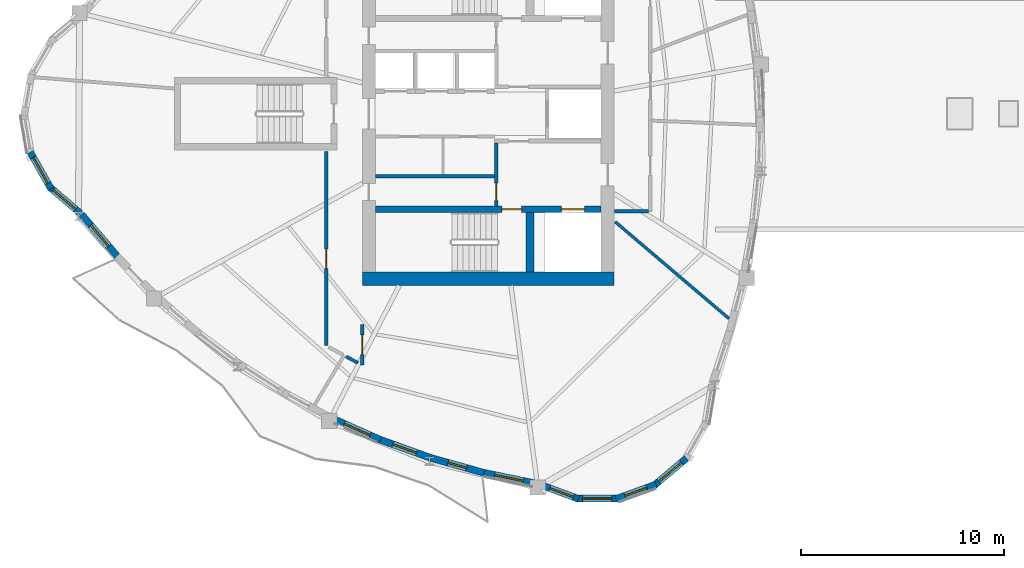
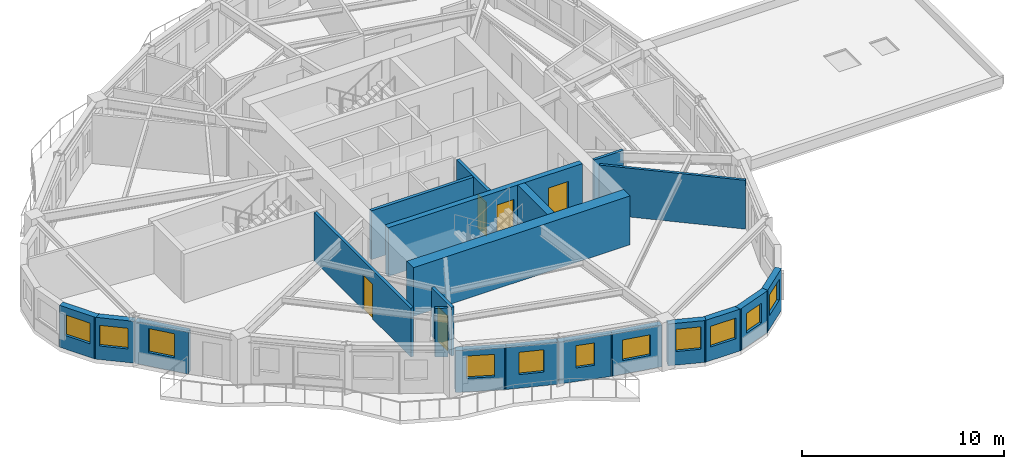
# One storey, part 3 of 11: 21 walls, 11 windows, 5 doors, 16 openings.
"""IFC4 building model written with IfcOpenShell, lengths in metres."""

from ifc_helpers import new_model, si_unit, direction, frame, frame_2d, origin, place, context, subcontext, project, spatial, rectangle, extrude, source, transform, mapped, material, layer, layer_set, type_object, element, fill, save


model = new_model("IFC4")

# Units and contexts
model_context = context("Model", 3, precision=1e-05, world=origin(), true_north=direction((0.0, 1.0)))
body_context = subcontext(model_context, "Body", "Model", "MODEL_VIEW")
ifc_project = project(units=[si_unit("LENGTHUNIT", "METRE"), si_unit("AREAUNIT", "SQUARE_METRE"), si_unit("VOLUMEUNIT", "CUBIC_METRE"), si_unit("PLANEANGLEUNIT", "RADIAN"), si_unit("MASSUNIT", "GRAM", prefix="KILO")], contexts=[model_context])

# Site, building, storey
site_placement = place(None, origin())
site = spatial("IfcSite", under=ifc_project, at=site_placement, CompositionType="ELEMENT")
building_placement = place(site_placement, origin())
building = spatial("IfcBuilding", under=site, at=building_placement, Name="Qafzar Sky-Pleat Residences", CompositionType="ELEMENT")
storey_placement = place(building_placement, frame((0.0, 0.0, 161.800048828125)))
storey = spatial("IfcBuildingStorey", under=building, at=storey_placement, Name="L48", CompositionType="ELEMENT", Elevation=161.800048828125)

# Wall, opening, door
ifc_material_1 = material(Name="Acoustic gypsum plasterboard partition", Category="gypsum")
ifc_layer_1 = layer(ifc_material_1, 0.159912109375)
ifc_layer_set_1 = layer_set([ifc_layer_1], Name="Acoustic gypsum plasterboard partition")
wall_type_1 = type_object("IfcWallType", Name="PART-COR-160", PredefinedType="PARTITIONING", material=ifc_layer_set_1)
wall_1_placement = place(storey_placement, frame((22.3701171875, 14.5791015625, 0.0), z_axis=(0.0, 0.0, 1.0), x_axis=(0.0, 1.0, 0.0)))
wall_1 = element("IfcWall", 1, at=wall_1_placement, inside=storey, type_object=wall_type_1, Name="L48 Partition Wall PART-L48-PW-001", PredefinedType="PARTITIONING", context=body_context, shape_type="SweptSolid", body=[
    extrude(rectangle(XDim=9.57080078125, YDim=0.159912109375, at=frame_2d((4.785400390625, 0.0))), origin(), (0.0, 0.0, 1.0), 2.949951171875),
])
opening_1_placement = place(wall_1_placement, frame((3.79345703125, 0.0, 0.0)))
opening_1 = element("IfcOpeningElement", 2, at=opening_1_placement, cuts=wall_1, Name="Opening ID-06", PredefinedType="OPENING", context=body_context, shape_type="SweptSolid", body=[
    extrude(rectangle(XDim=0.9599609375, YDim=2.10009765625, at=frame_2d((0.47998046875, 1.050048828125))), frame((0.0, 0.08984375, 0.0), z_axis=(0.0, -1.0, 0.0), x_axis=(1.0, 0.0, 0.0)), (0.0, 0.0, 1.0), 0.179931640625),
])
ifc_material_2 = material(Name="Timber-faced fire door", Category="wood")
door_type_1 = type_object("IfcDoorType", Name="DR-STD-960", OperationType="NOTDEFINED", PredefinedType="DOOR", material=ifc_material_2)
shared_shape_1 = source(origin(), body_context, "Body", "SweptSolid", [
    extrude(rectangle(XDim=0.9599609375, YDim=2.10009765625, at=frame_2d((0.47998046875, 1.050048828125))), frame((0.0, 0.02490234375, 0.0), z_axis=(0.0, -1.0, 0.0), x_axis=(1.0, 0.0, 0.0)), (0.0, 0.0, 1.0), 0.050048828125),
])
door_1_placement = place(opening_1_placement, origin())
door_1 = element("IfcDoor", 3, at=door_1_placement, inside=storey, type_object=door_type_1, Name="L48 Faculty Research Office Door", OperationType="SINGLE_SWING_LEFT", OverallHeight=2.10009765625, OverallWidth=0.9599609375, PredefinedType="DOOR", context=body_context, shape_type="MappedRepresentation", body=[
    mapped(shared_shape_1, transform((0.0, 0.0, 0.0), x_axis=(1.0, 0.0, 0.0), y_axis=(0.0, 1.0, 0.0), z_axis=(0.0, 0.0, 1.0), scale=1.0)),
])
fill(opening_1, door_1)

wall_2_placement = place(storey_placement, frame((24.14990234375, 15.633056640625, 0.0), z_axis=(0.0, 0.0, 1.0), x_axis=(0.0, -1.0, 0.0)))
wall_2 = element("IfcWall", 4, at=wall_2_placement, inside=storey, type_object=wall_type_1, Name="L48 Partition Wall PART-L48-PW-008", PredefinedType="PARTITIONING", context=body_context, shape_type="SweptSolid", body=[
    extrude(rectangle(XDim=1.9951171875, YDim=0.159912109375, at=frame_2d((0.99755859375, 0.0))), origin(), (0.0, 0.0, 1.0), 2.949951171875),
])
opening_2_placement = place(wall_2_placement, frame((0.531982421875, 0.0, 0.0)))
opening_2 = element("IfcOpeningElement", 5, at=opening_2_placement, cuts=wall_2, Name="Opening ID-06", PredefinedType="OPENING", context=body_context, shape_type="SweptSolid", body=[
    extrude(rectangle(XDim=0.9599609375, YDim=2.10009765625, at=frame_2d((0.47998046875, 1.050048828125))), frame((0.0, 0.08984375, 0.0), z_axis=(0.0, -1.0, 0.0), x_axis=(1.0, 0.0, 0.0)), (0.0, 0.0, 1.0), 0.179931640625),
])
door_2_placement = place(opening_2_placement, origin())
door_2 = element("IfcDoor", 6, at=door_2_placement, inside=storey, type_object=door_type_1, Name="L48 Scholar Co-Working Workspace Door", OperationType="SINGLE_SWING_LEFT", OverallHeight=2.10009765625, OverallWidth=0.9599609375, PredefinedType="DOOR", context=body_context, shape_type="MappedRepresentation", body=[
    mapped(shared_shape_1, transform((0.0, 0.0, 0.0), x_axis=(1.0, 0.0, 0.0), y_axis=(0.0, 1.0, 0.0), z_axis=(0.0, 0.0, 1.0), scale=1.0)),
])
fill(opening_2, door_2)

# Walls
wall_3_placement = place(storey_placement, frame((36.55810546875, 21.199951171875, 0.0), z_axis=(0.0, 0.0, 1.0), x_axis=(1.0, 0.0, 0.0)))
element("IfcWall", 7, at=wall_3_placement, inside=storey, type_object=wall_type_1, Name="L48 Partition Wall PART-L48-PW-021", PredefinedType="PARTITIONING", context=body_context, shape_type="SweptSolid", body=[
    extrude(rectangle(XDim=1.683837890625, YDim=0.159912109375, at=frame_2d((0.841796875, 0.0))), origin(), (0.0, 0.0, 1.0), 2.949951171875),
])
wall_4_placement = place(storey_placement, frame((23.35400390625, 14.0478515625, 0.0), z_axis=(0.0, 0.0, 1.0), x_axis=(0.879446930613, -0.475996949818, 0.0)))
element("IfcWall", 8, at=wall_4_placement, inside=storey, type_object=wall_type_1, Name="L48 Partition Wall PART-L48-PW-028", PredefinedType="PARTITIONING", context=body_context, shape_type="SweptSolid", body=[
    extrude(rectangle(XDim=0.65966796875, YDim=0.159912109375, at=frame_2d((0.329833984375, 0.0))), origin(), (0.0, 0.0, 1.0), 2.949951171875),
])

# Wall, opening, door
ifc_material_3 = material(Name="Concrete blockwork partition", Category="masonry")
ifc_layer_2 = layer(ifc_material_3, 0.179931640625)
ifc_layer_set_2 = layer_set([ifc_layer_2], Name="Concrete blockwork partition")
wall_type_2 = type_object("IfcWallType", Name="PART-SHAFT-180", PredefinedType="PARTITIONING", material=ifc_layer_set_2)
wall_5_placement = place(storey_placement, frame((30.75, 21.4599609375, 0.0), z_axis=(0.0, 0.0, 1.0), x_axis=(0.0, 1.0, 0.0)))
wall_5 = element("IfcWall", 9, at=wall_5_placement, inside=storey, type_object=wall_type_2, Name="L48 Partition Wall PART-L48-FFL1-W", PredefinedType="PARTITIONING", context=body_context, shape_type="SweptSolid", body=[
    extrude(rectangle(XDim=3.110107421875, YDim=0.179931640625, at=frame_2d((1.55517578125, 0.0))), origin(), (0.0, 0.0, 1.0), 2.949951171875),
])
opening_3_placement = place(wall_5_placement, frame((0.260009765625, 0.0, 0.0)))
opening_3 = element("IfcOpeningElement", 10, at=opening_3_placement, cuts=wall_5, Name="Opening ID-09", PredefinedType="OPENING", context=body_context, shape_type="SweptSolid", body=[
    extrude(rectangle(XDim=0.860107421875, YDim=2.050048828125, at=frame_2d((0.43017578125, 1.02490234375))), frame((0.0, 0.10009765625, 0.0), z_axis=(0.0, -1.0, 0.0), x_axis=(1.0, 0.0, 0.0)), (0.0, 0.0, 1.0), 0.199951171875),
])
door_type_2 = type_object("IfcDoorType", Name="DR-SVC-860", OperationType="NOTDEFINED", PredefinedType="DOOR", material=ifc_material_2)
shared_shape_2 = source(origin(), body_context, "Body", "SweptSolid", [
    extrude(rectangle(XDim=0.860107421875, YDim=2.050048828125, at=frame_2d((0.43017578125, 1.02490234375))), frame((0.0, 0.02490234375, 0.0), z_axis=(0.0, -1.0, 0.0), x_axis=(1.0, 0.0, 0.0)), (0.0, 0.0, 1.0), 0.050048828125),
])
door_3_placement = place(opening_3_placement, origin())
door_3 = element("IfcDoor", 11, at=door_3_placement, inside=storey, type_object=door_type_2, Name="L48 South Core Cupboard Door", OperationType="SINGLE_SWING_LEFT", OverallHeight=2.050048828125, OverallWidth=0.860107421875, PredefinedType="DOOR", context=body_context, shape_type="MappedRepresentation", body=[
    mapped(shared_shape_2, transform((0.0, 0.0, 0.0), x_axis=(1.0, 0.0, 0.0), y_axis=(0.0, 1.0, 0.0), z_axis=(0.0, 0.0, 1.0), scale=1.0)),
])
fill(opening_3, door_3)

# Walls
wall_6_placement = place(storey_placement, frame((24.81005859375, 22.919921875, 0.0), z_axis=(0.0, 0.0, 1.0), x_axis=(1.0, 0.0, 0.0)))
element("IfcWall", 12, at=wall_6_placement, inside=storey, type_object=wall_type_2, Name="L48 Partition Wall PART-L48-P13-S", PredefinedType="PARTITIONING", context=body_context, shape_type="SweptSolid", body=[
    extrude(rectangle(XDim=5.83984375, YDim=0.179931640625, at=frame_2d((2.919921875, 0.0))), origin(), (0.0, 0.0, 1.0), 2.949951171875),
])
ifc_layer_3 = layer(ifc_material_1, 0.14501953125)
ifc_layer_set_3 = layer_set([ifc_layer_3], Name="Acoustic gypsum plasterboard partition")
wall_type_3 = type_object("IfcWallType", Name="PART-UNIT-145", PredefinedType="PARTITIONING", material=ifc_layer_set_3)
wall_7_placement = place(storey_placement, frame((36.60302734375, 20.681884765625, 0.0), z_axis=(0.0, 0.0, 1.0), x_axis=(0.761710074833, -0.647918020971, 0.0)))
element("IfcWall", 13, at=wall_7_placement, inside=storey, type_object=wall_type_3, Name="L48 Partition Wall PART-L48-PW-012", PredefinedType="PARTITIONING", context=body_context, shape_type="SweptSolid", body=[
    extrude(rectangle(XDim=7.359130859375, YDim=0.14501953125, at=frame_2d((3.6796875, 0.0))), origin(), (0.0, 0.0, 1.0), 2.949951171875),
])

# Wall, opening, window
ifc_material_4 = material(Name="Precast concrete C40/50 with honed Riyadh limestone", Category="concrete")
ifc_layer_4 = layer(ifc_material_4, 0.340087890625)
ifc_layer_set_4 = layer_set([ifc_layer_4], Name="Precast concrete C40/50 with honed Riyadh limestone")
wall_type_4 = type_object("IfcWallType", Name="WALL-EXT-340", PredefinedType="SOLIDWALL", material=ifc_layer_set_4)
wall_8_placement = place(storey_placement, frame((7.794677734375, 24.11279296875, 0.0), z_axis=(0.0, 0.0, 1.0), x_axis=(0.493660675866, -0.869654607936, 0.0)))
wall_8 = element("IfcWall", 14, at=wall_8_placement, inside=storey, type_object=wall_type_4, Name="L48 Limestone Facade Wall 5", PredefinedType="SOLIDWALL", context=body_context, shape_type="SweptSolid", body=[
    extrude(rectangle(XDim=2.0810546875, YDim=0.340087890625, at=frame_2d((1.04052734375, 0.0))), origin(), (0.0, 0.0, 1.0), 2.530029296875),
])
opening_4_placement = place(wall_8_placement, frame((0.3154296875, 0.0, 0.820068359375)))
opening_4 = element("IfcOpeningElement", 15, at=opening_4_placement, cuts=wall_8, Name="Opening WN-15", PredefinedType="OPENING", context=body_context, shape_type="SweptSolid", body=[
    extrude(rectangle(XDim=1.449951171875, YDim=1.25, at=frame_2d((0.72509765625, 0.625))), frame((0.0, 0.18017578125, 0.0), z_axis=(0.0, -1.0, 0.0), x_axis=(1.0, 0.0, 0.0)), (0.0, 0.0, 1.0), 0.360107421875),
])
ifc_material_5 = material(Name="Solar-control low-E glass in bronze aluminium frame", Category="glass")
window_type_1 = type_object("IfcWindowType", Name="WIN-15", PartitioningType="SINGLE_PANEL", PredefinedType="WINDOW", material=ifc_material_5)
shared_shape_3 = source(origin(), body_context, "Body", "SweptSolid", [
    extrude(rectangle(XDim=1.449951171875, YDim=1.25, at=frame_2d((0.72509765625, 0.625))), frame((0.0, 0.030029296875, 0.0), z_axis=(0.0, -1.0, 0.0), x_axis=(1.0, 0.0, 0.0)), (0.0, 0.0, 1.0), 0.06005859375),
])
window_1_placement = place(opening_4_placement, origin())
window_1 = element("IfcWindow", 16, at=window_1_placement, inside=storey, type_object=window_type_1, Name="L48 Punched Facade Window 05", OverallHeight=1.25, OverallWidth=1.449951171875, PartitioningType="SINGLE_PANEL", PredefinedType="WINDOW", context=body_context, shape_type="MappedRepresentation", body=[
    mapped(shared_shape_3, transform((0.0, 0.0, 0.0), x_axis=(1.0, 0.0, 0.0), y_axis=(0.0, 1.0, 0.0), z_axis=(0.0, 0.0, 1.0), scale=1.0)),
])
fill(opening_4, window_1)

wall_9_placement = place(storey_placement, frame((8.737060546875, 22.406005859375, 0.0), z_axis=(0.0, 0.0, 1.0), x_axis=(0.760269373804, -0.649607942728, 0.0)))
wall_9 = element("IfcWall", 17, at=wall_9_placement, inside=storey, type_object=wall_type_4, Name="L48 Limestone Facade Wall 6", PredefinedType="SOLIDWALL", context=body_context, shape_type="SweptSolid", body=[
    extrude(rectangle(XDim=2.023193359375, YDim=0.340087890625, at=frame_2d((1.01171875, 0.0))), origin(), (0.0, 0.0, 1.0), 2.530029296875),
])
opening_5_placement = place(wall_9_placement, frame((0.256591796875, 0.0, 0.820068359375)))
opening_5 = element("IfcOpeningElement", 18, at=opening_5_placement, cuts=wall_9, Name="Opening WN-15", PredefinedType="OPENING", context=body_context, shape_type="SweptSolid", body=[
    extrude(rectangle(XDim=1.449951171875, YDim=1.25, at=frame_2d((0.72509765625, 0.625))), frame((0.0, 0.18017578125, 0.0), z_axis=(0.0, -1.0, 0.0), x_axis=(1.0, 0.0, 0.0)), (0.0, 0.0, 1.0), 0.360107421875),
])
window_2_placement = place(opening_5_placement, origin())
window_2 = element("IfcWindow", 19, at=window_2_placement, inside=storey, type_object=window_type_1, Name="L48 Punched Facade Window 06", OverallHeight=1.25, OverallWidth=1.449951171875, PartitioningType="SINGLE_PANEL", PredefinedType="WINDOW", context=body_context, shape_type="MappedRepresentation", body=[
    mapped(shared_shape_3, transform((0.0, 0.0, 0.0), x_axis=(1.0, 0.0, 0.0), y_axis=(0.0, 1.0, 0.0), z_axis=(0.0, 0.0, 1.0), scale=1.0)),
])
fill(opening_5, window_2)

wall_10_placement = place(storey_placement, frame((10.322265625, 21.045166015625, 0.0), z_axis=(0.0, 0.0, 1.0), x_axis=(0.650265710861, -0.759706854832, 0.0)))
wall_10 = element("IfcWall", 20, at=wall_10_placement, inside=storey, type_object=wall_type_4, Name="L48 Limestone Facade Wall 7", PredefinedType="SOLIDWALL", context=body_context, shape_type="SweptSolid", body=[
    extrude(rectangle(XDim=2.79296875, YDim=0.340087890625, at=frame_2d((1.396484375, 0.0))), origin(), (0.0, 0.0, 1.0), 2.530029296875),
])
opening_6_placement = place(wall_10_placement, frame((0.71142578125, 0.0, 0.820068359375)))
opening_6 = element("IfcOpeningElement", 21, at=opening_6_placement, cuts=wall_10, Name="Opening WN-04", PredefinedType="OPENING", context=body_context, shape_type="SweptSolid", body=[
    extrude(rectangle(XDim=1.35009765625, YDim=1.449951171875, at=frame_2d((0.675048828125, 0.72509765625))), frame((0.0, 0.18017578125, 0.0), z_axis=(0.0, -1.0, 0.0), x_axis=(1.0, 0.0, 0.0)), (0.0, 0.0, 1.0), 0.360107421875),
])
window_type_2 = type_object("IfcWindowType", Name="WIN-04", PartitioningType="SINGLE_PANEL", PredefinedType="WINDOW", material=ifc_material_5)
shared_shape_4 = source(origin(), body_context, "Body", "SweptSolid", [
    extrude(rectangle(XDim=1.35009765625, YDim=1.449951171875, at=frame_2d((0.675048828125, 0.72509765625))), frame((0.0, 0.030029296875, 0.0), z_axis=(0.0, -1.0, 0.0), x_axis=(1.0, 0.0, 0.0)), (0.0, 0.0, 1.0), 0.06005859375),
])
window_3_placement = place(opening_6_placement, origin())
window_3 = element("IfcWindow", 22, at=window_3_placement, inside=storey, type_object=window_type_2, Name="L48 Punched Facade Window 07", OverallHeight=1.449951171875, OverallWidth=1.35009765625, PartitioningType="SINGLE_PANEL", PredefinedType="WINDOW", context=body_context, shape_type="MappedRepresentation", body=[
    mapped(shared_shape_4, transform((0.0, 0.0, 0.0), x_axis=(1.0, 0.0, 0.0), y_axis=(0.0, 1.0, 0.0), z_axis=(0.0, 0.0, 1.0), scale=1.0)),
])
fill(opening_6, window_3)

wall_11_placement = place(storey_placement, frame((22.739501953125, 10.97119140625, 0.0), z_axis=(0.0, 0.0, 1.0), x_axis=(0.913208557636, -0.407492491048, 0.0)))
wall_11 = element("IfcWall", 23, at=wall_11_placement, inside=storey, type_object=wall_type_4, Name="L48 Limestone Facade Wall 13", PredefinedType="SOLIDWALL", context=body_context, shape_type="SweptSolid", body=[
    extrude(rectangle(XDim=2.525390625, YDim=0.340087890625, at=frame_2d((1.2626953125, 0.0))), origin(), (0.0, 0.0, 1.0), 2.530029296875),
])
opening_7_placement = place(wall_11_placement, frame((0.5576171875, 0.0, 0.820068359375)))
opening_7 = element("IfcOpeningElement", 24, at=opening_7_placement, cuts=wall_11, Name="Opening WN-10", PredefinedType="OPENING", context=body_context, shape_type="SweptSolid", body=[
    extrude(rectangle(XDim=1.39990234375, YDim=1.35009765625, at=frame_2d((0.699951171875, 0.675048828125))), frame((0.0, 0.18017578125, 0.0), z_axis=(0.0, -1.0, 0.0), x_axis=(1.0, 0.0, 0.0)), (0.0, 0.0, 1.0), 0.360107421875),
])
window_type_3 = type_object("IfcWindowType", Name="WIN-10", PartitioningType="SINGLE_PANEL", PredefinedType="WINDOW", material=ifc_material_5)
shared_shape_5 = source(origin(), body_context, "Body", "SweptSolid", [
    extrude(rectangle(XDim=1.39990234375, YDim=1.35009765625, at=frame_2d((0.699951171875, 0.675048828125))), frame((0.0, 0.030029296875, 0.0), z_axis=(0.0, -1.0, 0.0), x_axis=(1.0, 0.0, 0.0)), (0.0, 0.0, 1.0), 0.06005859375),
])
window_4_placement = place(opening_7_placement, origin())
window_4 = element("IfcWindow", 25, at=window_4_placement, inside=storey, type_object=window_type_3, Name="L48 Punched Facade Window 13", OverallHeight=1.35009765625, OverallWidth=1.39990234375, PartitioningType="SINGLE_PANEL", PredefinedType="WINDOW", context=body_context, shape_type="MappedRepresentation", body=[
    mapped(shared_shape_5, transform((0.0, 0.0, 0.0), x_axis=(1.0, 0.0, 0.0), y_axis=(0.0, 1.0, 0.0), z_axis=(0.0, 0.0, 1.0), scale=1.0)),
])
fill(opening_7, window_4)

wall_12_placement = place(storey_placement, frame((24.96337890625, 9.97509765625, 0.0), z_axis=(0.0, 0.0, 1.0), x_axis=(0.940893194947, -0.338703403736, 0.0)))
wall_12 = element("IfcWall", 26, at=wall_12_placement, inside=storey, type_object=wall_type_4, Name="L48 Limestone Facade Wall 14", PredefinedType="SOLIDWALL", context=body_context, shape_type="SweptSolid", body=[
    extrude(rectangle(XDim=2.690673828125, YDim=0.340087890625, at=frame_2d((1.34521484375, 0.0))), origin(), (0.0, 0.0, 1.0), 2.530029296875),
])
opening_8_placement = place(wall_12_placement, frame((0.730224609375, 0.0, 0.820068359375)))
opening_8 = element("IfcOpeningElement", 27, at=opening_8_placement, cuts=wall_12, Name="Opening WN-11", PredefinedType="OPENING", context=body_context, shape_type="SweptSolid", body=[
    extrude(rectangle(XDim=1.25, YDim=1.35009765625, at=frame_2d((0.625, 0.675048828125))), frame((0.0, 0.18017578125, 0.0), z_axis=(0.0, -1.0, 0.0), x_axis=(1.0, 0.0, 0.0)), (0.0, 0.0, 1.0), 0.360107421875),
])
window_type_4 = type_object("IfcWindowType", Name="WIN-11", PartitioningType="SINGLE_PANEL", PredefinedType="WINDOW", material=ifc_material_5)
shared_shape_6 = source(origin(), body_context, "Body", "SweptSolid", [
    extrude(rectangle(XDim=1.25, YDim=1.35009765625, at=frame_2d((0.625, 0.675048828125))), frame((0.0, 0.030029296875, 0.0), z_axis=(0.0, -1.0, 0.0), x_axis=(1.0, 0.0, 0.0)), (0.0, 0.0, 1.0), 0.06005859375),
])
window_5_placement = place(opening_8_placement, origin())
window_5 = element("IfcWindow", 28, at=window_5_placement, inside=storey, type_object=window_type_4, Name="L48 Punched Facade Window 14", OverallHeight=1.35009765625, OverallWidth=1.25, PartitioningType="SINGLE_PANEL", PredefinedType="WINDOW", context=body_context, shape_type="MappedRepresentation", body=[
    mapped(shared_shape_6, transform((0.0, 0.0, 0.0), x_axis=(1.0, 0.0, 0.0), y_axis=(0.0, 1.0, 0.0), z_axis=(0.0, 0.0, 1.0), scale=1.0)),
])
fill(opening_8, window_5)

wall_13_placement = place(storey_placement, frame((27.521484375, 9.055419921875, 0.0), z_axis=(0.0, 0.0, 1.0), x_axis=(0.962873105013, -0.269954410306, 0.0)))
wall_13 = element("IfcWall", 29, at=wall_13_placement, inside=storey, type_object=wall_type_4, Name="L48 Limestone Facade Wall 15", PredefinedType="SOLIDWALL", context=body_context, shape_type="SweptSolid", body=[
    extrude(rectangle(XDim=2.73486328125, YDim=0.340087890625, at=frame_2d((1.367431640625, 0.0))), origin(), (0.0, 0.0, 1.0), 2.530029296875),
])
opening_9_placement = place(wall_13_placement, frame((0.88232421875, 0.0, 0.820068359375)))
opening_9 = element("IfcOpeningElement", 30, at=opening_9_placement, cuts=wall_13, Name="Opening WN-12", PredefinedType="OPENING", context=body_context, shape_type="SweptSolid", body=[
    extrude(rectangle(XDim=0.949951171875, YDim=1.35009765625, at=frame_2d((0.47509765625, 0.675048828125))), frame((0.0, 0.18017578125, 0.0), z_axis=(0.0, -1.0, 0.0), x_axis=(1.0, 0.0, 0.0)), (0.0, 0.0, 1.0), 0.360107421875),
])
window_type_5 = type_object("IfcWindowType", Name="WIN-12", PartitioningType="SINGLE_PANEL", PredefinedType="WINDOW", material=ifc_material_5)
shared_shape_7 = source(origin(), body_context, "Body", "SweptSolid", [
    extrude(rectangle(XDim=0.949951171875, YDim=1.35009765625, at=frame_2d((0.47509765625, 0.675048828125))), frame((0.0, 0.030029296875, 0.0), z_axis=(0.0, -1.0, 0.0), x_axis=(1.0, 0.0, 0.0)), (0.0, 0.0, 1.0), 0.06005859375),
])
window_6_placement = place(opening_9_placement, origin())
window_6 = element("IfcWindow", 31, at=window_6_placement, inside=storey, type_object=window_type_5, Name="L48 Punched Facade Window 15", OverallHeight=1.35009765625, OverallWidth=0.949951171875, PartitioningType="SINGLE_PANEL", PredefinedType="WINDOW", context=body_context, shape_type="MappedRepresentation", body=[
    mapped(shared_shape_7, transform((0.0, 0.0, 0.0), x_axis=(1.0, 0.0, 0.0), y_axis=(0.0, 1.0, 0.0), z_axis=(0.0, 0.0, 1.0), scale=1.0)),
])
fill(opening_9, window_6)

wall_14_placement = place(storey_placement, frame((30.069580078125, 8.337890625, 0.0), z_axis=(0.0, 0.0, 1.0), x_axis=(0.97931003802, -0.202365633032, 0.0)))
wall_14 = element("IfcWall", 32, at=wall_14_placement, inside=storey, type_object=wall_type_4, Name="L48 Limestone Facade Wall 16", PredefinedType="SOLIDWALL", context=body_context, shape_type="SweptSolid", body=[
    extrude(rectangle(XDim=2.65771484375, YDim=0.340087890625, at=frame_2d((1.328857421875, 0.0))), origin(), (0.0, 0.0, 1.0), 2.530029296875),
])
opening_10_placement = place(wall_14_placement, frame((0.60888671875, 0.0, 0.820068359375)))
opening_10 = element("IfcOpeningElement", 33, at=opening_10_placement, cuts=wall_14, Name="Opening WN-15", PredefinedType="OPENING", context=body_context, shape_type="SweptSolid", body=[
    extrude(rectangle(XDim=1.449951171875, YDim=1.25, at=frame_2d((0.72509765625, 0.625))), frame((0.0, 0.18017578125, 0.0), z_axis=(0.0, -1.0, 0.0), x_axis=(1.0, 0.0, 0.0)), (0.0, 0.0, 1.0), 0.360107421875),
])
window_7_placement = place(opening_10_placement, origin())
window_7 = element("IfcWindow", 34, at=window_7_placement, inside=storey, type_object=window_type_1, Name="L48 Punched Facade Window 16", OverallHeight=1.25, OverallWidth=1.449951171875, PartitioningType="SINGLE_PANEL", PredefinedType="WINDOW", context=body_context, shape_type="MappedRepresentation", body=[
    mapped(shared_shape_3, transform((0.0, 0.0, 0.0), x_axis=(1.0, 0.0, 0.0), y_axis=(0.0, 1.0, 0.0), z_axis=(0.0, 0.0, 1.0), scale=1.0)),
])
fill(opening_10, window_7)

wall_15_placement = place(storey_placement, frame((32.994384765625, 7.70751953125, 0.0), z_axis=(0.0, 0.0, 1.0), x_axis=(0.936872687757, -0.349670654952, 0.0)))
wall_15 = element("IfcWall", 35, at=wall_15_placement, inside=storey, type_object=wall_type_4, Name="L48 Limestone Facade Wall 17", PredefinedType="SOLIDWALL", context=body_context, shape_type="SweptSolid", body=[
    extrude(rectangle(XDim=1.915771484375, YDim=0.340087890625, at=frame_2d((0.9580078125, 0.0))), origin(), (0.0, 0.0, 1.0), 2.530029296875),
])
opening_11_placement = place(wall_15_placement, frame((0.40771484375, 0.0, 0.820068359375)))
opening_11 = element("IfcOpeningElement", 36, at=opening_11_placement, cuts=wall_15, Name="Opening WN-11", PredefinedType="OPENING", context=body_context, shape_type="SweptSolid", body=[
    extrude(rectangle(XDim=1.25, YDim=1.35009765625, at=frame_2d((0.625, 0.675048828125))), frame((0.0, 0.18017578125, 0.0), z_axis=(0.0, -1.0, 0.0), x_axis=(1.0, 0.0, 0.0)), (0.0, 0.0, 1.0), 0.360107421875),
])
window_8_placement = place(opening_11_placement, origin())
window_8 = element("IfcWindow", 37, at=window_8_placement, inside=storey, type_object=window_type_4, Name="L48 Punched Facade Window 17", OverallHeight=1.35009765625, OverallWidth=1.25, PartitioningType="SINGLE_PANEL", PredefinedType="WINDOW", context=body_context, shape_type="MappedRepresentation", body=[
    mapped(shared_shape_6, transform((0.0, 0.0, 0.0), x_axis=(1.0, 0.0, 0.0), y_axis=(0.0, 1.0, 0.0), z_axis=(0.0, 0.0, 1.0), scale=1.0)),
])
fill(opening_11, window_8)

wall_16_placement = place(storey_placement, frame((34.656982421875, 7.06201171875, 0.0), z_axis=(0.0, 0.0, 1.0), x_axis=(0.999987609968, -0.00497794249, 0.0)))
wall_16 = element("IfcWall", 38, at=wall_16_placement, inside=storey, type_object=wall_type_4, Name="L48 Limestone Facade Wall 18", PredefinedType="SOLIDWALL", context=body_context, shape_type="SweptSolid", body=[
    extrude(rectangle(XDim=2.10888671875, YDim=0.340087890625, at=frame_2d((1.054443359375, 0.0))), origin(), (0.0, 0.0, 1.0), 2.530029296875),
])
opening_12_placement = place(wall_16_placement, frame((0.329345703125, 0.0, 0.820068359375)))
opening_12 = element("IfcOpeningElement", 39, at=opening_12_placement, cuts=wall_16, Name="Opening WN-15", PredefinedType="OPENING", context=body_context, shape_type="SweptSolid", body=[
    extrude(rectangle(XDim=1.449951171875, YDim=1.25, at=frame_2d((0.72509765625, 0.625))), frame((0.0, 0.18017578125, 0.0), z_axis=(0.0, -1.0, 0.0), x_axis=(1.0, 0.0, 0.0)), (0.0, 0.0, 1.0), 0.360107421875),
])
window_9_placement = place(opening_12_placement, origin())
window_9 = element("IfcWindow", 40, at=window_9_placement, inside=storey, type_object=window_type_1, Name="L48 Punched Facade Window 18", OverallHeight=1.25, OverallWidth=1.449951171875, PartitioningType="SINGLE_PANEL", PredefinedType="WINDOW", context=body_context, shape_type="MappedRepresentation", body=[
    mapped(shared_shape_3, transform((0.0, 0.0, 0.0), x_axis=(1.0, 0.0, 0.0), y_axis=(0.0, 1.0, 0.0), z_axis=(0.0, 0.0, 1.0), scale=1.0)),
])
fill(opening_12, window_9)

wall_17_placement = place(storey_placement, frame((36.63330078125, 7.02880859375, 0.0), z_axis=(0.0, 0.0, 1.0), x_axis=(0.940255626786, 0.340469317702, 0.0)))
wall_17 = element("IfcWall", 41, at=wall_17_placement, inside=storey, type_object=wall_type_4, Name="L48 Limestone Facade Wall 19", PredefinedType="SOLIDWALL", context=body_context, shape_type="SweptSolid", body=[
    extrude(rectangle(XDim=2.10888671875, YDim=0.340087890625, at=frame_2d((1.054443359375, 0.0))), origin(), (0.0, 0.0, 1.0), 2.530029296875),
])
opening_13_placement = place(wall_17_placement, frame((0.4794921875, 0.0, 0.820068359375)))
opening_13 = element("IfcOpeningElement", 42, at=opening_13_placement, cuts=wall_17, Name="Opening WN-16", PredefinedType="OPENING", context=body_context, shape_type="SweptSolid", body=[
    extrude(rectangle(XDim=1.14990234375, YDim=1.199951171875, at=frame_2d((0.574951171875, 0.60009765625))), frame((0.0, 0.18017578125, 0.0), z_axis=(0.0, -1.0, 0.0), x_axis=(1.0, 0.0, 0.0)), (0.0, 0.0, 1.0), 0.360107421875),
])
window_type_6 = type_object("IfcWindowType", Name="WIN-16", PartitioningType="SINGLE_PANEL", PredefinedType="WINDOW", material=ifc_material_5)
shared_shape_8 = source(origin(), body_context, "Body", "SweptSolid", [
    extrude(rectangle(XDim=1.14990234375, YDim=1.199951171875, at=frame_2d((0.574951171875, 0.60009765625))), frame((0.0, 0.030029296875, 0.0), z_axis=(0.0, -1.0, 0.0), x_axis=(1.0, 0.0, 0.0)), (0.0, 0.0, 1.0), 0.06005859375),
])
window_10_placement = place(opening_13_placement, origin())
window_10 = element("IfcWindow", 43, at=window_10_placement, inside=storey, type_object=window_type_6, Name="L48 Punched Facade Window 19", OverallHeight=1.199951171875, OverallWidth=1.14990234375, PartitioningType="SINGLE_PANEL", PredefinedType="WINDOW", context=body_context, shape_type="MappedRepresentation", body=[
    mapped(shared_shape_8, transform((0.0, 0.0, 0.0), x_axis=(1.0, 0.0, 0.0), y_axis=(0.0, 1.0, 0.0), z_axis=(0.0, 0.0, 1.0), scale=1.0)),
])
fill(opening_13, window_10)

wall_18_placement = place(storey_placement, frame((38.499755859375, 7.6796875, 0.0), z_axis=(0.0, 0.0, 1.0), x_axis=(0.765013277381, 0.644014507158, 0.0)))
wall_18 = element("IfcWall", 44, at=wall_18_placement, inside=storey, type_object=wall_type_4, Name="L48 Limestone Facade Wall 20", PredefinedType="SOLIDWALL", context=body_context, shape_type="SweptSolid", body=[
    extrude(rectangle(XDim=2.1083984375, YDim=0.340087890625, at=frame_2d((1.05419921875, 0.0))), origin(), (0.0, 0.0, 1.0), 2.530029296875),
])
opening_14_placement = place(wall_18_placement, frame((0.329345703125, 0.0, 0.820068359375)))
opening_14 = element("IfcOpeningElement", 45, at=opening_14_placement, cuts=wall_18, Name="Opening WN-15", PredefinedType="OPENING", context=body_context, shape_type="SweptSolid", body=[
    extrude(rectangle(XDim=1.449951171875, YDim=1.25, at=frame_2d((0.72509765625, 0.625))), frame((0.0, 0.18017578125, 0.0), z_axis=(0.0, -1.0, 0.0), x_axis=(1.0, 0.0, 0.0)), (0.0, 0.0, 1.0), 0.360107421875),
])
window_11_placement = place(opening_14_placement, origin())
window_11 = element("IfcWindow", 46, at=window_11_placement, inside=storey, type_object=window_type_1, Name="L48 Punched Facade Window 20", OverallHeight=1.25, OverallWidth=1.449951171875, PartitioningType="SINGLE_PANEL", PredefinedType="WINDOW", context=body_context, shape_type="MappedRepresentation", body=[
    mapped(shared_shape_3, transform((0.0, 0.0, 0.0), x_axis=(1.0, 0.0, 0.0), y_axis=(0.0, 1.0, 0.0), z_axis=(0.0, 0.0, 1.0), scale=1.0)),
])
fill(opening_14, window_11)

# Wall, openings, doors
ifc_material_6 = material(Name="Concrete C60/75", Category="concrete")
ifc_layer_5 = layer(ifc_material_6, 0.300048828125)
ifc_layer_set_5 = layer_set([ifc_layer_5], Name="Concrete C60/75")
wall_type_5 = type_object("IfcWallType", Name="WALL-SHEAR-300", PredefinedType="SHEAR", material=ifc_layer_set_5)
wall_19_placement = place(storey_placement, frame((24.800048828125, 21.300048828125, 0.0), z_axis=(0.0, 0.0, 1.0), x_axis=(1.0, 0.0, 0.0)))
wall_19 = element("IfcWall", 47, at=wall_19_placement, inside=storey, type_object=wall_type_5, Name="L48 Stair ST1 and FF1 Shaft North Wall", PredefinedType="SHEAR", context=body_context, shape_type="SweptSolid", body=[
    extrude(rectangle(XDim=11.099853515625, YDim=0.300048828125, at=frame_2d((5.5498046875, 0.0))), origin(), (0.0, 0.0, 1.0), 2.949951171875),
])
opening_15_placement = place(wall_19_placement, frame((6.219970703125, 0.0, 0.0)))
opening_15 = element("IfcOpeningElement", 48, at=opening_15_placement, cuts=wall_19, Name="Opening ID-01", PredefinedType="OPENING", context=body_context, shape_type="SweptSolid", body=[
    extrude(rectangle(XDim=0.97998046875, YDim=2.14990234375, at=frame_2d((0.489990234375, 1.074951171875))), frame((0.0, 0.16015625, 0.0), z_axis=(0.0, -1.0, 0.0), x_axis=(1.0, 0.0, 0.0)), (0.0, 0.0, 1.0), 0.320068359375),
])
opening_16_placement = place(wall_19_placement, frame((9.14990234375, 0.0, 0.0)))
opening_16 = element("IfcOpeningElement", 49, at=opening_16_placement, cuts=wall_19, Name="Opening LD-02", PredefinedType="OPENING", context=body_context, shape_type="SweptSolid", body=[
    extrude(rectangle(XDim=1.14990234375, YDim=2.14990234375, at=frame_2d((0.574951171875, 1.074951171875))), frame((0.0, 0.16015625, 0.0), z_axis=(0.0, -1.0, 0.0), x_axis=(1.0, 0.0, 0.0)), (0.0, 0.0, 1.0), 0.320068359375),
])
door_type_3 = type_object("IfcDoorType", Name="DR-STAIR-980", OperationType="NOTDEFINED", PredefinedType="DOOR", material=ifc_material_2)
shared_shape_9 = source(origin(), body_context, "Body", "SweptSolid", [
    extrude(rectangle(XDim=0.97998046875, YDim=2.14990234375, at=frame_2d((0.489990234375, 1.074951171875))), frame((0.0, 0.02490234375, 0.0), z_axis=(0.0, -1.0, 0.0), x_axis=(1.0, 0.0, 0.0)), (0.0, 0.0, 1.0), 0.050048828125),
])
door_4_placement = place(opening_15_placement, origin())
door_4 = element("IfcDoor", 50, at=door_4_placement, inside=storey, type_object=door_type_3, Name="L48 Stair ST1 Fire Door", OperationType="SINGLE_SWING_RIGHT", OverallHeight=2.14990234375, OverallWidth=0.97998046875, PredefinedType="DOOR", context=body_context, shape_type="MappedRepresentation", body=[
    mapped(shared_shape_9, transform((0.0, 0.0, 0.0), x_axis=(1.0, 0.0, 0.0), y_axis=(0.0, 1.0, 0.0), z_axis=(0.0, 0.0, 1.0), scale=1.0)),
])
fill(opening_15, door_4)
ifc_material_7 = material(Name="Stainless steel sliding landing door", Category="steel")
door_type_4 = type_object("IfcDoorType", Name="DR-LIFT-FF", OperationType="DOUBLE_DOOR_SLIDING", PredefinedType="DOOR", material=ifc_material_7)
shared_shape_10 = source(origin(), body_context, "Body", "SweptSolid", [
    extrude(rectangle(XDim=1.14990234375, YDim=2.14990234375, at=frame_2d((0.574951171875, 1.074951171875))), frame((0.0, 0.02490234375, 0.0), z_axis=(0.0, -1.0, 0.0), x_axis=(1.0, 0.0, 0.0)), (0.0, 0.0, 1.0), 0.050048828125),
])
door_5_placement = place(opening_16_placement, origin())
door_5 = element("IfcDoor", 51, at=door_5_placement, inside=storey, type_object=door_type_4, Name="L48 Firefighting Lift FF1 Landing Door", OperationType="DOUBLE_DOOR_SLIDING", OverallHeight=2.14990234375, OverallWidth=1.14990234375, PredefinedType="DOOR", context=body_context, shape_type="MappedRepresentation", body=[
    mapped(shared_shape_10, transform((0.0, 0.0, 0.0), x_axis=(1.0, 0.0, 0.0), y_axis=(0.0, 1.0, 0.0), z_axis=(0.0, 0.0, 1.0), scale=1.0)),
])
fill(opening_16, door_5)

# Walls
ifc_layer_6 = layer(ifc_material_6, 0.39990234375)
ifc_layer_set_6 = layer_set([ifc_layer_6], Name="Concrete C60/75")
wall_type_6 = type_object("IfcWallType", Name="WALL-SHEAR-400", PredefinedType="SHEAR", material=ifc_layer_set_6)
wall_20_placement = place(storey_placement, frame((32.39990234375, 18.199951171875, 0.0), z_axis=(0.0, 0.0, 1.0), x_axis=(0.0, 1.0, 0.0)))
element("IfcWall", 52, at=wall_20_placement, inside=storey, type_object=wall_type_6, Name="L48 Stair ST1 East Dividing Wall", PredefinedType="SHEAR", context=body_context, shape_type="SweptSolid", body=[
    extrude(rectangle(XDim=2.949951171875, YDim=0.39990234375, at=frame_2d((1.47509765625, 0.0))), origin(), (0.0, 0.0, 1.0), 2.949951171875),
])
ifc_layer_7 = layer(ifc_material_6, 0.64990234375)
ifc_layer_set_7 = layer_set([ifc_layer_7], Name="Concrete C60/75")
wall_type_7 = type_object("IfcWallType", Name="WALL-SHEAR-650", PredefinedType="SHEAR", material=ifc_layer_set_7)
wall_21_placement = place(storey_placement, frame((24.14990234375, 17.875, 0.0), z_axis=(0.0, 0.0, 1.0), x_axis=(1.0, 0.0, 0.0)))
element("IfcWall", 53, at=wall_21_placement, inside=storey, type_object=wall_type_7, Name="L48 CORE wall S", PredefinedType="SHEAR", context=body_context, shape_type="SweptSolid", body=[
    extrude(rectangle(XDim=12.400146484375, YDim=0.64990234375, at=frame_2d((6.2001953125, 0.0))), origin(), (0.0, 0.0, 1.0), 2.949951171875),
])

save(model, "model.ifc")
